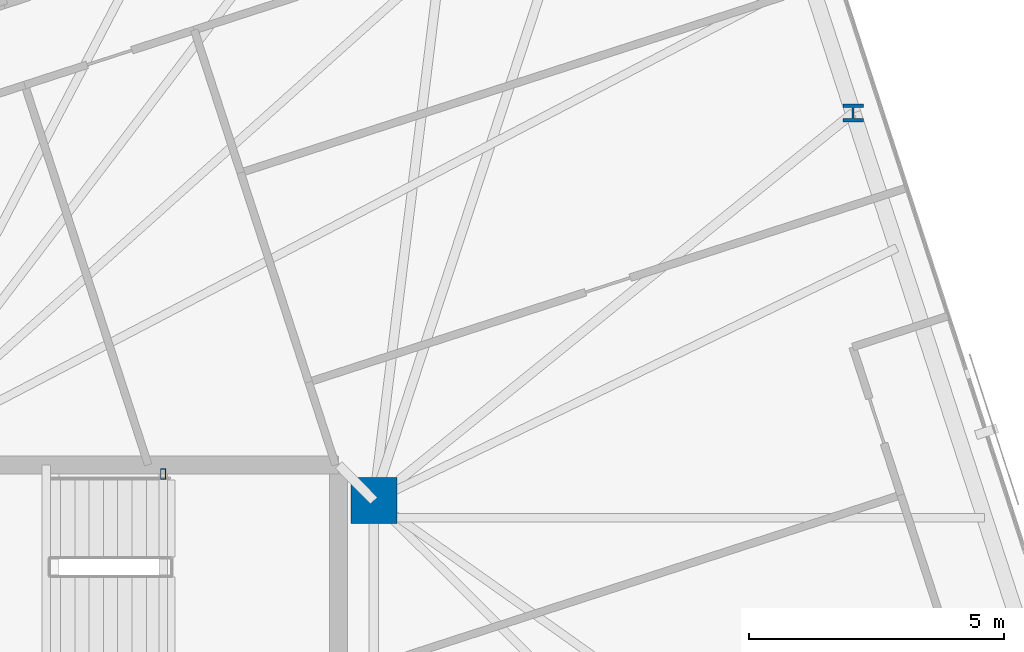
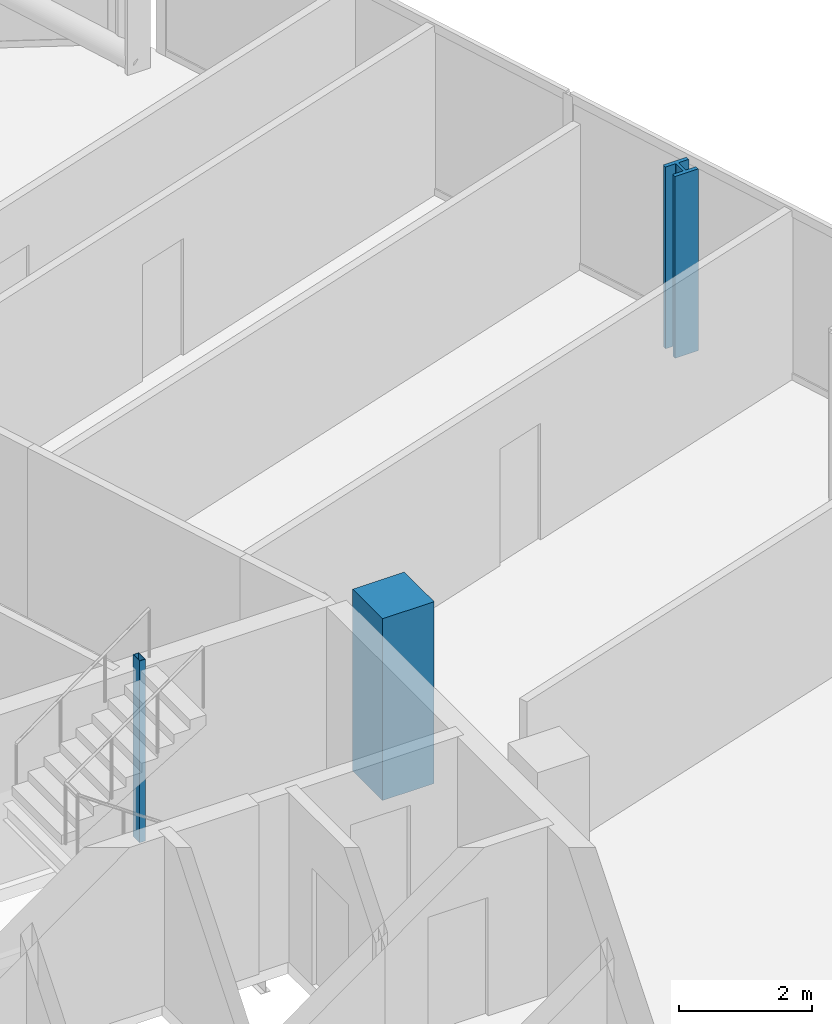
# One storey, part 3 of 19: 3 columns.
"""IFC4 building model written with IfcOpenShell, lengths in metres."""

import ifcopenshell
import ifcopenshell.guid

model = None  # the IFC model being written
_history = None  # IfcOwnerHistory: only IFC2X3 demands one
_inside = {}  # id of a spatial element -> (the spatial element, [elements in it])
_under = {}  # id of a project, library or spatial element -> (it, [spatial elements below it])
_declared = {}  # id of a project -> (the project, [libraries it declares])
_typed = {}  # id of a type object -> (the type object, [elements of that type])
_made_of = {}  # id of a material, layer set ... -> (it, [elements and type objects made of it])


def new_model(schema):
    """Start an empty IFC model of exactly this schema.

    Asked for "IFC4X3", IfcOpenShell would pick the latest addendum, in which some entities
    have other attributes; the version numbers below select the first issue.
    IFC2X3 requires an IfcOwnerHistory on every rooted entity: one is made here for all.
    """
    global model, _history
    if schema == "IFC4X3":
        model = ifcopenshell.file(schema_version=(4, 3, 0, 0))
    else:
        model = ifcopenshell.file(schema=schema)
    _inside.clear()
    _under.clear()
    _declared.clear()
    _typed.clear()
    _made_of.clear()
    _history = None
    if model.schema == "IFC2X3":
        org = make("IfcOrganization", Name="unknown")
        user = make(
            "IfcPersonAndOrganization",
            ThePerson=make("IfcPerson", FamilyName="unknown"),
            TheOrganization=org,
        )
        app = make(
            "IfcApplication",
            ApplicationDeveloper=org,
            Version="unknown",
            ApplicationFullName="unknown",
            ApplicationIdentifier="unknown",
        )
        _history = make(
            "IfcOwnerHistory",
            OwningUser=user,
            OwningApplication=app,
            ChangeAction="ADDED",
            CreationDate=0,
        )
    return model


def make(cls, **values):
    """One entity of the class cls with the attributes given. An attribute that is None is left unset."""
    return model.create_entity(
        cls, **{name: value for name, value in values.items() if value is not None}
    )


def rooted(cls, **values):
    """An entity with a GlobalId (a new one), such as an element, a storey or a relation."""
    return make(cls, GlobalId=ifcopenshell.guid.new(), OwnerHistory=_history, **values)


def si_unit(unit_type, name, prefix=None):
    """IfcSIUnit, for example si_unit("LENGTHUNIT", "METRE", prefix="MILLI")."""
    return make("IfcSIUnit", UnitType=unit_type, Prefix=prefix, Name=name)


def assignment(units):
    """IfcUnitAssignment: the units of a project."""
    return None if units is None else make("IfcUnitAssignment", Units=units)


def point(xyz):
    """IfcCartesianPoint."""
    return None if xyz is None else make("IfcCartesianPoint", Coordinates=xyz)


def direction(xyz):
    """IfcDirection."""
    return None if xyz is None else make("IfcDirection", DirectionRatios=xyz)


def frame(location, z_axis=None, x_axis=None):
    """IfcAxis2Placement3D, a coordinate frame: its origin and axes. An axis left out is left unset."""
    return make(
        "IfcAxis2Placement3D",
        Location=point(location),
        Axis=direction(z_axis),
        RefDirection=direction(x_axis),
    )


def frame_2d(location, x_axis=None):
    """IfcAxis2Placement2D, a coordinate frame in the plane: its origin and x axis."""
    return make(
        "IfcAxis2Placement2D", Location=point(location), RefDirection=direction(x_axis)
    )


def origin():
    """The frame at (0, 0, 0) with its axes left unset."""
    return frame((0.0, 0.0, 0.0))


def origin_2d():
    """The frame at (0, 0) in the plane with its x axis left unset."""
    return frame_2d((0.0, 0.0))


def place(relative_to, where):
    """IfcLocalPlacement: puts the frame where relative to a parent placement (None: the world)."""
    return make(
        "IfcLocalPlacement", PlacementRelTo=relative_to, RelativePlacement=where
    )


def context(
    kind, dimensions, precision=None, world=None, true_north=None, identifier=None
):
    """IfcGeometricRepresentationContext, for example the 3D "Model" context."""
    return make(
        "IfcGeometricRepresentationContext",
        ContextIdentifier=identifier,
        ContextType=kind,
        CoordinateSpaceDimension=dimensions,
        Precision=precision,
        WorldCoordinateSystem=world,
        TrueNorth=true_north,
    )


def subcontext(parent, identifier, kind, view, scale=None):
    """IfcGeometricRepresentationSubContext, for example "Body" below "Model"."""
    return make(
        "IfcGeometricRepresentationSubContext",
        ContextIdentifier=identifier,
        ContextType=kind,
        ParentContext=parent,
        TargetScale=scale,
        TargetView=view,
    )


def project(units=None, contexts=None):
    """IfcProject with its units and contexts."""
    return rooted(
        "IfcProject",
        Name="project",
        RepresentationContexts=contexts,
        UnitsInContext=assignment(units),
    )


def spatial(cls, under=None, at=None, **own):
    """A site, building, storey or space (cls), placed at a placement, below another one or the project."""
    s = rooted(cls, ObjectPlacement=at, **own)
    if under is not None:
        _under.setdefault(under.id(), (under, []))[1].append(s)
    return s


def profile(cls, at=None, kind="AREA", **sizes):
    """A parametric profile (cls). Its sizes go by their IFC names, for example OverallWidth=200.0."""
    return make(cls, ProfileType=kind, Position=at, **sizes)


def rectangle(**sizes):
    """IfcRectangleProfileDef."""
    return profile("IfcRectangleProfileDef", **sizes)


def hollow_rectangle(**sizes):
    """IfcRectangleHollowProfileDef."""
    return profile("IfcRectangleHollowProfileDef", **sizes)


def i_section(**sizes):
    """IfcIShapeProfileDef."""
    return profile("IfcIShapeProfileDef", **sizes)


def extrude(swept, where, along, depth):
    """IfcExtrudedAreaSolid: the profile swept, set in the frame where, extruded along a direction by depth."""
    return make(
        "IfcExtrudedAreaSolid",
        SweptArea=swept,
        Position=where,
        ExtrudedDirection=direction(along),
        Depth=depth,
    )


def shape(context_of_items, identifier, shape_type, items):
    """IfcShapeRepresentation: the items that make up one representation, for example the "Body"."""
    return make(
        "IfcShapeRepresentation",
        ContextOfItems=context_of_items,
        RepresentationIdentifier=identifier,
        RepresentationType=shape_type,
        Items=items,
    )


def material(Name=None, Category=None):
    """IfcMaterial."""
    return make("IfcMaterial", Name=Name, Category=Category)


def material_profile(
    of_material, cross_section, Name=None, Category=None, Priority=None
):
    """IfcMaterialProfile: a cross section and its material."""
    return make(
        "IfcMaterialProfile",
        Name=Name,
        Material=of_material,
        Profile=cross_section,
        Priority=Priority,
        Category=Category,
    )


def profile_set(profiles, Name=None, composite=None):
    """IfcMaterialProfileSet."""
    return make(
        "IfcMaterialProfileSet",
        Name=Name,
        MaterialProfiles=profiles,
        CompositeProfile=composite,
    )


def made_of(thing, what):
    """Note that an element or type object is made of a material, layer set ...; save() writes the relation."""
    if what is not None:
        _made_of.setdefault(what.id(), (what, []))[1].append(thing)
    return thing


def type_object(cls, material=None, **own):
    """A type object (cls), such as IfcWallType, which elements share."""
    return made_of(rooted(cls, **own), material)


def element(
    cls,
    number,
    at=None,
    inside=None,
    cuts=None,
    type_object=None,
    material=None,
    context=None,
    identifier="Body",
    shape_type=None,
    held_by="IfcProductDefinitionShape",
    body=None,
    shapes=None,
    **own,
):
    """One element of the class cls, such as IfcWall. Its Tag is "e" and its number.

    at: its placement. inside: the storey or other place that contains it. cuts: it is an
    opening in that element (IfcRelVoidsElement). A single representation is given by context,
    identifier, shape_type and body (its items); several are given by shapes. held_by: the class
    of the entity that holds the representations. save() writes the other relations.
    """
    e = rooted(cls, Tag="e%d" % number, ObjectPlacement=at, **own)
    if body is not None:
        shapes = [shape(context, identifier, shape_type, body)]
    if shapes is not None:
        e.Representation = make(held_by, Representations=shapes)
    if inside is not None:
        _inside.setdefault(inside.id(), (inside, []))[1].append(e)
    if cuts is not None:
        rooted(
            "IfcRelVoidsElement", RelatingBuildingElement=cuts, RelatedOpeningElement=e
        )
    if type_object is not None:
        _typed.setdefault(type_object.id(), (type_object, []))[1].append(e)
    return made_of(e, material)


def aggregate(whole, parts):
    """IfcRelAggregates: a whole, such as a stair, and the parts it consists of."""
    return rooted("IfcRelAggregates", RelatingObject=whole, RelatedObjects=parts)


def save(model, path):
    """Write the relations noted so far, then the file.

    IfcRelAggregates (storeys below a building ...), IfcRelContainedInSpatialStructure (elements
    in a storey), IfcRelDefinesByType, IfcRelAssociatesMaterial and IfcRelDeclares: one each for
    every whole, place, type object, material and project.
    """
    for whole, parts in _under.values():
        aggregate(whole, parts)
    for where, things in _inside.values():
        rooted(
            "IfcRelContainedInSpatialStructure",
            RelatedElements=things,
            RelatingStructure=where,
        )
    for kind, things in _typed.values():
        rooted("IfcRelDefinesByType", RelatedObjects=things, RelatingType=kind)
    for what, things in _made_of.values():
        rooted("IfcRelAssociatesMaterial", RelatedObjects=things, RelatingMaterial=what)
    for by, libraries in _declared.values():
        rooted("IfcRelDeclares", RelatingContext=by, RelatedDefinitions=libraries)
    model.write(path)


model = new_model("IFC4")

# Units and contexts
model_context = context("Model", 3, precision=1e-05, world=origin(), true_north=direction((0.0, 1.0)))
body_context = subcontext(model_context, "Body", "Model", "MODEL_VIEW")
ifc_project = project(units=[si_unit("LENGTHUNIT", "METRE"), si_unit("AREAUNIT", "SQUARE_METRE"), si_unit("VOLUMEUNIT", "CUBIC_METRE"), si_unit("PLANEANGLEUNIT", "RADIAN"), si_unit("MASSUNIT", "GRAM", prefix="KILO")], contexts=[model_context])

# Site, building, storey
site_placement = place(None, origin())
site = spatial("IfcSite", under=ifc_project, at=site_placement, CompositionType="ELEMENT")
building_placement = place(site_placement, origin())
building = spatial("IfcBuilding", under=site, at=building_placement, Name="Menara Jurai Vektor", CompositionType="ELEMENT")
storey_placement = place(building_placement, frame((0.0, 0.0, 234.35009765625)))
storey = spatial("IfcBuildingStorey", under=building, at=storey_placement, Name="L62", CompositionType="ELEMENT", Elevation=234.35009765625)

# Columns
ifc_material_1 = material(Name="Concrete C50/60", Category="concrete")
ifc_material_profile_1 = material_profile(ifc_material_1, rectangle(XDim=0.89990234375, YDim=0.89990234375, at=origin_2d()), Name="RC 900x900")
ifc_profile_set_1 = profile_set([ifc_material_profile_1], Name="Concrete C50/60")
column_type_1 = type_object("IfcColumnType", Name="STR-COL-RC900", PredefinedType="COLUMN", material=ifc_profile_set_1)
column_1_placement = place(storey_placement, frame((15.25, 4.89990234375, 0.0), z_axis=(0.0, 0.0, 1.0), x_axis=(1.0, 0.0, 0.0)))
element("IfcColumn", 1, at=column_1_placement, inside=storey, type_object=column_type_1, Name="Core Spine Column CE-NE L62", PredefinedType="COLUMN", context=body_context, shape_type="SweptSolid", body=[
    extrude(rectangle(XDim=0.89990234375, YDim=0.89990234375, at=origin_2d()), origin(), (0.0, 0.0, 1.0), 3.349853515625),
])
ifc_material_2 = material(Name="Steel S355", Category="steel")
ifc_material_profile_2 = material_profile(ifc_material_2, hollow_rectangle(XDim=0.10009765625, YDim=0.199951171875, WallThickness=0.008056640625, at=origin_2d()), Name="RHS 200x100x8")
ifc_profile_set_2 = profile_set([ifc_material_profile_2], Name="Steel S355")
column_type_2 = type_object("IfcColumnType", Name="STR-COL-STAIR", PredefinedType="COLUMN", material=ifc_profile_set_2)
column_2_placement = place(storey_placement, frame((11.1201171875, 5.419921875, 0.0), z_axis=(0.0, 0.0, 1.0), x_axis=(1.0, 0.0, 0.0)))
element("IfcColumn", 2, at=column_2_placement, inside=storey, type_object=column_type_2, Name="Stair Well Header Column ST2-P2 L62", PredefinedType="COLUMN", context=body_context, shape_type="SweptSolid", body=[
    extrude(hollow_rectangle(XDim=0.10009765625, YDim=0.199951171875, WallThickness=0.008056640625, at=origin_2d()), origin(), (0.0, 0.0, 1.0), 3.349853515625),
])
ifc_material_3 = material(Name="Steel S460", Category="steel")
ifc_material_profile_3 = material_profile(ifc_material_3, i_section(OverallWidth=0.405029296875, OverallDepth=0.35498046875, WebThickness=0.0419921875, FlangeThickness=0.068115234375, FilletRadius=0.014892578125, at=origin_2d()), Name="HD 400x551")
ifc_profile_set_3 = profile_set([ifc_material_profile_3], Name="Steel S460")
column_type_3 = type_object("IfcColumnType", Name="STR-EXO-BLK4", PredefinedType="COLUMN", material=ifc_profile_set_3)
column_3_placement = place(storey_placement, frame((24.641845703125, 12.496826171875, 0.0), z_axis=(0.0, 0.0, 1.0), x_axis=(1.0, 0.0, 0.0)))
element("IfcColumn", 3, at=column_3_placement, inside=storey, type_object=column_type_3, Name="Exoskeleton Column BLK4-E3 L62", PredefinedType="COLUMN", context=body_context, shape_type="SweptSolid", body=[
    extrude(i_section(OverallWidth=0.405029296875, OverallDepth=0.35498046875, WebThickness=0.0419921875, FlangeThickness=0.068115234375, FilletRadius=0.014892578125, at=origin_2d()), origin(), (0.0, 0.0, 1.0), 3.349853515625),
])

save(model, "model.ifc")
